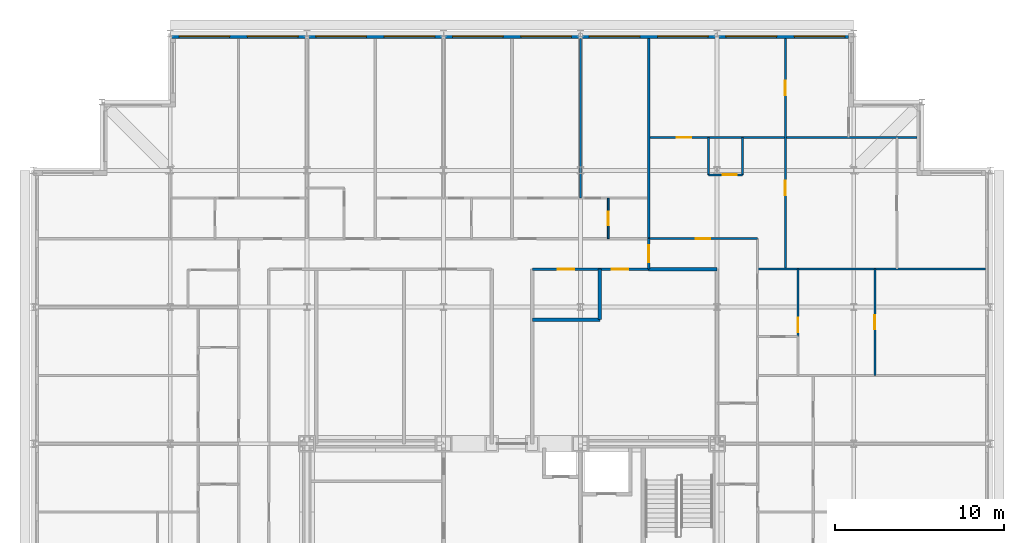
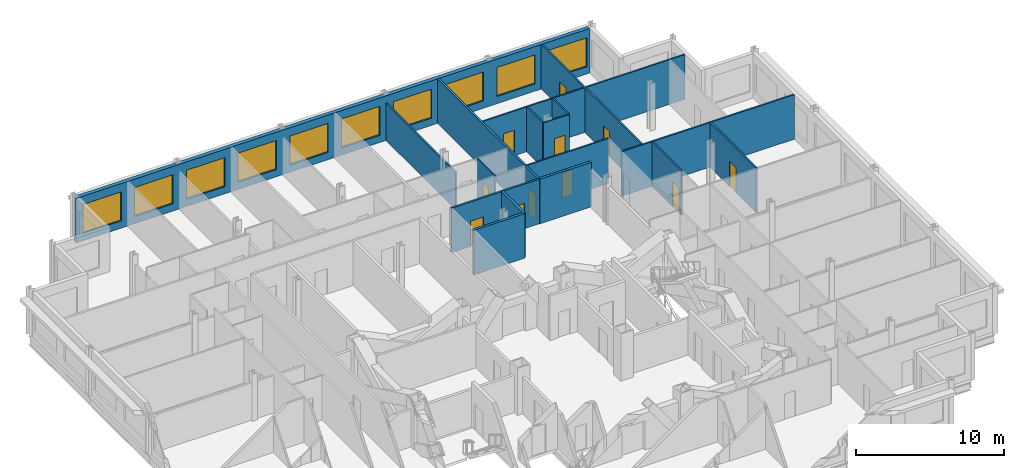
# One storey, part 13 of 15: 18 walls, 11 doors, 10 windows, 21 openings.
"""IFC4 building model written with IfcOpenShell, lengths in metres."""

from ifc_helpers import new_model, si_unit, direction, frame, frame_2d, origin, place, context, subcontext, project, spatial, rectangle, extrude, material, layer, layer_set, type_object, element, fill, save


model = new_model("IFC4")

# Units and contexts
model_context = context("Model", 3, precision=1e-05, world=origin(), true_north=direction((0.0, 1.0)))
body_context = subcontext(model_context, "Body", "Model", "MODEL_VIEW")
ifc_project = project(units=[si_unit("LENGTHUNIT", "METRE"), si_unit("AREAUNIT", "SQUARE_METRE"), si_unit("VOLUMEUNIT", "CUBIC_METRE"), si_unit("PLANEANGLEUNIT", "RADIAN"), si_unit("MASSUNIT", "GRAM", prefix="KILO")], contexts=[model_context])

# Site, building, storey
site_placement = place(None, origin())
site = spatial("IfcSite", under=ifc_project, at=site_placement, CompositionType="ELEMENT")
building_placement = place(site_placement, origin())
building = spatial("IfcBuilding", under=site, at=building_placement, Name="Kopane Lantern Tower", CompositionType="ELEMENT")
storey_placement = place(building_placement, frame((0.0, 0.0, 273.60009765625)))
storey = spatial("IfcBuildingStorey", under=building, at=storey_placement, Name="L70", CompositionType="ELEMENT", Elevation=273.60009765625)

# Wall
ifc_material_1 = material(Name="Gypsum board on steel studs", Category="steel")
ifc_layer_1 = layer(ifc_material_1, 0.1201171875)
ifc_layer_set_1 = layer_set([ifc_layer_1], Name="APARTMENT INTERNAL WALL 120")
wall_type_1 = type_object("IfcWallType", Name="APARTMENT INTERNAL WALL 120", PredefinedType="PARTITIONING", material=ifc_layer_set_1)
wall_1_placement = place(storey_placement, frame((32.39990234375, 55.050048828125, 0.0), z_axis=(0.0, 0.0, 1.0), x_axis=(0.0, 1.0, 0.0)))
element("IfcWall", 1, at=wall_1_placement, inside=storey, type_object=wall_type_1, Name="Apartment Internal Wall 120 L70", PredefinedType="PARTITIONING", context=body_context, shape_type="SweptSolid", body=[
    extrude(rectangle(XDim=9.449951171875, YDim=0.1201171875, at=frame_2d((4.72509765625, 0.0))), origin(), (0.0, 0.0, 1.0), 3.07763671875),
])

# Wall, opening, door
wall_2_placement = place(storey_placement, frame((36.449951171875, 52.64990234375, 0.0), z_axis=(0.0, 0.0, 1.0), x_axis=(1.0, 0.0, 0.0)))
wall_2 = element("IfcWall", 2, at=wall_2_placement, inside=storey, type_object=wall_type_1, Name="Apartment Internal Wall 120 L70", PredefinedType="PARTITIONING", context=body_context, shape_type="SweptSolid", body=[
    extrude(rectangle(XDim=6.449951171875, YDim=0.1201171875, at=frame_2d((3.22509765625, 0.0))), origin(), (0.0, 0.0, 1.0), 3.68994140625),
])
opening_1_placement = place(wall_2_placement, frame((2.800048828125, 0.0, 0.0)))
opening_1 = element("IfcOpeningElement", 3, at=opening_1_placement, cuts=wall_2, Name="Opening L70-056", PredefinedType="OPENING", context=body_context, shape_type="SweptSolid", body=[
    extrude(rectangle(XDim=0.85009765625, YDim=2.10009765625, at=frame_2d((0.425048828125, 1.050048828125))), frame((0.0, 0.070068359375, 0.0), z_axis=(0.0, -1.0, 0.0), x_axis=(1.0, 0.0, 0.0)), (0.0, 0.0, 1.0), 0.14013671875),
])
ifc_material_2 = material(Name="Timber door set", Category="wood")
door_type_1 = type_object("IfcDoorType", Name="DOOR D4 850x2100", OperationType="SINGLE_SWING_LEFT", PredefinedType="DOOR", material=ifc_material_2)
door_1_placement = place(opening_1_placement, origin())
door_1 = element("IfcDoor", 4, at=door_1_placement, inside=storey, type_object=door_type_1, Name="Door L70-056", OperationType="SINGLE_SWING_LEFT", OverallHeight=2.10009765625, OverallWidth=0.85009765625, PredefinedType="DOOR", context=body_context, shape_type="SweptSolid", body=[
    extrude(rectangle(XDim=0.85009765625, YDim=2.10009765625, at=frame_2d((0.425048828125, 1.050048828125))), frame((0.0, 0.02490234375, 0.0), z_axis=(0.0, -1.0, 0.0), x_axis=(1.0, 0.0, 0.0)), (0.0, 0.0, 1.0), 0.050048828125),
])
fill(opening_1, door_1)

# Wall
wall_3_placement = place(storey_placement, frame((42.89990234375, 50.85009765625, 0.0), z_axis=(0.0, 0.0, 1.0), x_axis=(1.0, 0.0, 0.0)))
element("IfcWall", 5, at=wall_3_placement, inside=storey, type_object=wall_type_1, Name="Apartment Internal Wall 120 L70", PredefinedType="PARTITIONING", context=body_context, shape_type="SweptSolid", body=[
    extrude(rectangle(XDim=13.5, YDim=0.1201171875, at=frame_2d((6.75, 0.0))), origin(), (0.0, 0.0, 1.0), 3.68994140625),
])

# Wall, opening, door
wall_4_placement = place(storey_placement, frame((36.449951171875, 58.64990234375, 0.0), z_axis=(0.0, 0.0, 1.0), x_axis=(1.0, 0.0, 0.0)))
wall_4 = element("IfcWall", 6, at=wall_4_placement, inside=storey, type_object=wall_type_1, Name="Apartment Internal Wall 120 L70", PredefinedType="PARTITIONING", context=body_context, shape_type="SweptSolid", body=[
    extrude(rectangle(XDim=15.900146484375, YDim=0.1201171875, at=frame_2d((7.9501953125, 0.0))), origin(), (0.0, 0.0, 1.0), 3.68994140625),
])
opening_2_placement = place(wall_4_placement, frame((1.675048828125, 0.0, 0.0)))
opening_2 = element("IfcOpeningElement", 7, at=opening_2_placement, cuts=wall_4, Name="Opening L70-057", PredefinedType="OPENING", context=body_context, shape_type="SweptSolid", body=[
    extrude(rectangle(XDim=0.85009765625, YDim=2.10009765625, at=frame_2d((0.425048828125, 1.050048828125))), frame((0.0, 0.070068359375, 0.0), z_axis=(0.0, -1.0, 0.0), x_axis=(1.0, 0.0, 0.0)), (0.0, 0.0, 1.0), 0.14013671875),
])
door_2_placement = place(opening_2_placement, origin())
door_2 = element("IfcDoor", 8, at=door_2_placement, inside=storey, type_object=door_type_1, Name="Door L70-057", OperationType="SINGLE_SWING_LEFT", OverallHeight=2.10009765625, OverallWidth=0.85009765625, PredefinedType="DOOR", context=body_context, shape_type="SweptSolid", body=[
    extrude(rectangle(XDim=0.85009765625, YDim=2.10009765625, at=frame_2d((0.425048828125, 1.050048828125))), frame((0.0, 0.02490234375, 0.0), z_axis=(0.0, -1.0, 0.0), x_axis=(1.0, 0.0, 0.0)), (0.0, 0.0, 1.0), 0.050048828125),
])
fill(opening_2, door_2)

# Wall, openings, doors
wall_5_placement = place(storey_placement, frame((44.550048828125, 64.5, 0.0), z_axis=(0.0, 0.0, 1.0), x_axis=(0.0, -1.0, 0.0)))
wall_5 = element("IfcWall", 9, at=wall_5_placement, inside=storey, type_object=wall_type_1, Name="Apartment Internal Wall 120 L70", PredefinedType="PARTITIONING", context=body_context, shape_type="SweptSolid", body=[
    extrude(rectangle(XDim=13.64990234375, YDim=0.1201171875, at=frame_2d((6.824951171875, 0.0))), origin(), (0.0, 0.0, 1.0), 3.68994140625),
])
opening_3_placement = place(wall_5_placement, frame((8.425048828125, 0.0, 0.0)))
opening_3 = element("IfcOpeningElement", 10, at=opening_3_placement, cuts=wall_5, Name="Opening L70-058", PredefinedType="OPENING", context=body_context, shape_type="SweptSolid", body=[
    extrude(rectangle(XDim=0.85009765625, YDim=2.10009765625, at=frame_2d((0.425048828125, 1.050048828125))), frame((0.0, 0.070068359375, 0.0), z_axis=(0.0, -1.0, 0.0), x_axis=(1.0, 0.0, 0.0)), (0.0, 0.0, 1.0), 0.14013671875),
])
opening_4_placement = place(wall_5_placement, frame((2.5, 0.0, 0.0)))
opening_4 = element("IfcOpeningElement", 11, at=opening_4_placement, cuts=wall_5, Name="Opening L70-059", PredefinedType="OPENING", context=body_context, shape_type="SweptSolid", body=[
    extrude(rectangle(XDim=0.85009765625, YDim=2.10009765625, at=frame_2d((0.425048828125, 1.050048828125))), frame((0.0, 0.070068359375, 0.0), z_axis=(0.0, -1.0, 0.0), x_axis=(1.0, 0.0, 0.0)), (0.0, 0.0, 1.0), 0.14013671875),
])
door_3_placement = place(opening_3_placement, origin())
door_3 = element("IfcDoor", 12, at=door_3_placement, inside=storey, type_object=door_type_1, Name="Door L70-058", OperationType="SINGLE_SWING_LEFT", OverallHeight=2.10009765625, OverallWidth=0.85009765625, PredefinedType="DOOR", context=body_context, shape_type="SweptSolid", body=[
    extrude(rectangle(XDim=0.85009765625, YDim=2.10009765625, at=frame_2d((0.425048828125, 1.050048828125))), frame((0.0, 0.02490234375, 0.0), z_axis=(0.0, -1.0, 0.0), x_axis=(1.0, 0.0, 0.0)), (0.0, 0.0, 1.0), 0.050048828125),
])
fill(opening_3, door_3)
door_4_placement = place(opening_4_placement, origin())
door_4 = element("IfcDoor", 13, at=door_4_placement, inside=storey, type_object=door_type_1, Name="Door L70-059", OperationType="SINGLE_SWING_RIGHT", OverallHeight=2.10009765625, OverallWidth=0.85009765625, PredefinedType="DOOR", context=body_context, shape_type="SweptSolid", body=[
    extrude(rectangle(XDim=0.85009765625, YDim=2.10009765625, at=frame_2d((0.425048828125, 1.050048828125))), frame((0.0, 0.02490234375, 0.0), z_axis=(0.0, -1.0, 0.0), x_axis=(1.0, 0.0, 0.0)), (0.0, 0.0, 1.0), 0.050048828125),
])
fill(opening_4, door_4)

# Wall, opening, door
wall_6_placement = place(storey_placement, frame((45.300048828125, 50.85009765625, 0.0), z_axis=(0.0, 0.0, 1.0), x_axis=(0.0, -1.0, 0.0)))
wall_6 = element("IfcWall", 14, at=wall_6_placement, inside=storey, type_object=wall_type_1, Name="Apartment Internal Wall 120 L70", PredefinedType="PARTITIONING", context=body_context, shape_type="SweptSolid", body=[
    extrude(rectangle(XDim=4.010009765625, YDim=0.1201171875, at=frame_2d((2.0048828125, 0.0))), origin(), (0.0, 0.0, 1.0), 3.68994140625),
])
opening_5_placement = place(wall_6_placement, frame((2.885009765625, 0.0, 0.0)))
opening_5 = element("IfcOpeningElement", 15, at=opening_5_placement, cuts=wall_6, Name="Opening L70-066", PredefinedType="OPENING", context=body_context, shape_type="SweptSolid", body=[
    extrude(rectangle(XDim=0.85009765625, YDim=2.10009765625, at=frame_2d((0.425048828125, 1.050048828125))), frame((0.0, 0.070068359375, 0.0), z_axis=(0.0, -1.0, 0.0), x_axis=(1.0, 0.0, 0.0)), (0.0, 0.0, 1.0), 0.14013671875),
])
door_5_placement = place(opening_5_placement, origin())
door_5 = element("IfcDoor", 16, at=door_5_placement, inside=storey, type_object=door_type_1, Name="Door L70-066", OperationType="SINGLE_SWING_LEFT", OverallHeight=2.10009765625, OverallWidth=0.85009765625, PredefinedType="DOOR", context=body_context, shape_type="SweptSolid", body=[
    extrude(rectangle(XDim=0.85009765625, YDim=2.10009765625, at=frame_2d((0.425048828125, 1.050048828125))), frame((0.0, 0.02490234375, 0.0), z_axis=(0.0, -1.0, 0.0), x_axis=(1.0, 0.0, 0.0)), (0.0, 0.0, 1.0), 0.050048828125),
])
fill(opening_5, door_5)

wall_7_placement = place(storey_placement, frame((49.85009765625, 44.550048828125, 0.0), z_axis=(0.0, 0.0, 1.0), x_axis=(0.0, 1.0, 0.0)))
wall_7 = element("IfcWall", 17, at=wall_7_placement, inside=storey, type_object=wall_type_1, Name="Apartment Internal Wall 120 L70", PredefinedType="PARTITIONING", context=body_context, shape_type="SweptSolid", body=[
    extrude(rectangle(XDim=6.300048828125, YDim=0.1201171875, at=frame_2d((3.14990234375, 0.0))), origin(), (0.0, 0.0, 1.0), 3.68994140625),
])
opening_6_placement = place(wall_7_placement, frame((2.72509765625, 0.0, 0.0)))
opening_6 = element("IfcOpeningElement", 18, at=opening_6_placement, cuts=wall_7, Name="Opening L70-073", PredefinedType="OPENING", context=body_context, shape_type="SweptSolid", body=[
    extrude(rectangle(XDim=0.85009765625, YDim=2.10009765625, at=frame_2d((0.425048828125, 1.050048828125))), frame((0.0, 0.070068359375, 0.0), z_axis=(0.0, -1.0, 0.0), x_axis=(1.0, 0.0, 0.0)), (0.0, 0.0, 1.0), 0.14013671875),
])
door_6_placement = place(opening_6_placement, origin())
door_6 = element("IfcDoor", 19, at=door_6_placement, inside=storey, type_object=door_type_1, Name="Door L70-073", OperationType="SINGLE_SWING_LEFT", OverallHeight=2.10009765625, OverallWidth=0.85009765625, PredefinedType="DOOR", context=body_context, shape_type="SweptSolid", body=[
    extrude(rectangle(XDim=0.85009765625, YDim=2.10009765625, at=frame_2d((0.425048828125, 1.050048828125))), frame((0.0, 0.02490234375, 0.0), z_axis=(0.0, -1.0, 0.0), x_axis=(1.0, 0.0, 0.0)), (0.0, 0.0, 1.0), 0.050048828125),
])
fill(opening_6, door_6)

# Walls
for number, where, z_axis, x_axis, name in (
    (20, (39.9970703125, 58.64990234375, 0.0), (0.0, 0.0, 1.0), (0.0, -1.0, 0.0), "Apartment Internal Wall 120 L70"),
    (21, (42.0029296875, 58.64990234375, 0.0), (0.0, 0.0, 1.0), (0.0, -1.0, 0.0), "Apartment Internal Wall 120 L70"),
):
    element("IfcWall", number, at=place(storey_placement, frame(where, z_axis=z_axis, x_axis=x_axis)), inside=storey, type_object=wall_type_1, Name=name, PredefinedType="PARTITIONING", context=body_context, shape_type="SweptSolid", body=[
        extrude(rectangle(XDim=2.212890625, YDim=0.1201171875, at=frame_2d((1.1064453125, 0.0))), origin(), (0.0, 0.0, 1.0), 3.68994140625),
    ])

# Wall, opening, door
wall_8_placement = place(storey_placement, frame((39.9970703125, 56.43701171875, 0.0), z_axis=(0.0, 0.0, 1.0), x_axis=(1.0, 0.0, 0.0)))
wall_8 = element("IfcWall", 22, at=wall_8_placement, inside=storey, type_object=wall_type_1, Name="Apartment Internal Wall 120 L70", PredefinedType="PARTITIONING", context=body_context, shape_type="SweptSolid", body=[
    extrude(rectangle(XDim=2.005859375, YDim=0.1201171875, at=frame_2d((1.0029296875, 0.0))), origin(), (0.0, 0.0, 1.0), 3.68994140625),
])
opening_7_placement = place(wall_8_placement, frame((0.8310546875, 0.0, 0.0)))
opening_7 = element("IfcOpeningElement", 23, at=opening_7_placement, cuts=wall_8, Name="Opening L70-075", PredefinedType="OPENING", context=body_context, shape_type="SweptSolid", body=[
    extrude(rectangle(XDim=0.85009765625, YDim=2.10009765625, at=frame_2d((0.425048828125, 1.050048828125))), frame((0.0, 0.070068359375, 0.0), z_axis=(0.0, -1.0, 0.0), x_axis=(1.0, 0.0, 0.0)), (0.0, 0.0, 1.0), 0.14013671875),
])
door_7_placement = place(opening_7_placement, origin())
door_7 = element("IfcDoor", 24, at=door_7_placement, inside=storey, type_object=door_type_1, Name="Door L70-075", OperationType="SINGLE_SWING_RIGHT", OverallHeight=2.10009765625, OverallWidth=0.85009765625, PredefinedType="DOOR", context=body_context, shape_type="SweptSolid", body=[
    extrude(rectangle(XDim=0.85009765625, YDim=2.10009765625, at=frame_2d((0.425048828125, 1.050048828125))), frame((0.0, 0.02490234375, 0.0), z_axis=(0.0, -1.0, 0.0), x_axis=(1.0, 0.0, 0.0)), (0.0, 0.0, 1.0), 0.050048828125),
])
fill(opening_7, door_7)

ifc_material_3 = material(Name="Moisture-resistant board on steel studs", Category="steel")
ifc_layer_2 = layer(ifc_material_3, 0.10009765625)
ifc_layer_set_2 = layer_set([ifc_layer_2], Name="BATHROOM WALL 100")
wall_type_2 = type_object("IfcWallType", Name="BATHROOM WALL 100", PredefinedType="PARTITIONING", material=ifc_layer_set_2)
wall_9_placement = place(storey_placement, frame((34.050048828125, 52.64990234375, 0.0), z_axis=(0.0, 0.0, 1.0), x_axis=(0.0, 1.0, 0.0)))
wall_9 = element("IfcWall", 25, at=wall_9_placement, inside=storey, type_object=wall_type_2, Name="Bathroom Wall 100 L70", PredefinedType="PARTITIONING", context=body_context, shape_type="SweptSolid", body=[
    extrude(rectangle(XDim=2.400146484375, YDim=0.10009765625, at=frame_2d((1.2001953125, 0.0))), origin(), (0.0, 0.0, 1.0), 3.68994140625),
])
opening_8_placement = place(wall_9_placement, frame((0.800048828125, 0.0, 0.0)))
opening_8 = element("IfcOpeningElement", 26, at=opening_8_placement, cuts=wall_9, Name="Opening L70-022", PredefinedType="OPENING", context=body_context, shape_type="SweptSolid", body=[
    extrude(rectangle(XDim=0.800048828125, YDim=2.10009765625, at=frame_2d((0.39990234375, 1.050048828125))), frame((0.0, 0.06005859375, 0.0), z_axis=(0.0, -1.0, 0.0), x_axis=(1.0, 0.0, 0.0)), (0.0, 0.0, 1.0), 0.1201171875),
])
ifc_material_4 = material(Name="Timber door set", Category="wood")
door_type_2 = type_object("IfcDoorType", Name="DOOR D2 800x2100", OperationType="SINGLE_SWING_LEFT", PredefinedType="DOOR", material=ifc_material_4)
door_8_placement = place(opening_8_placement, origin())
door_8 = element("IfcDoor", 27, at=door_8_placement, inside=storey, type_object=door_type_2, Name="Door L70-022", OperationType="SINGLE_SWING_RIGHT", OverallHeight=2.10009765625, OverallWidth=0.800048828125, PredefinedType="DOOR", context=body_context, shape_type="SweptSolid", body=[
    extrude(rectangle(XDim=0.800048828125, YDim=2.10009765625, at=frame_2d((0.39990234375, 1.050048828125))), frame((0.0, 0.02490234375, 0.0), z_axis=(0.0, -1.0, 0.0), x_axis=(1.0, 0.0, 0.0)), (0.0, 0.0, 1.0), 0.050048828125),
])
fill(opening_8, door_8)

# Wall, openings, doors
ifc_material_5 = material(Name="Gypsum board on steel studs", Category="steel")
ifc_layer_3 = layer(ifc_material_5, 0.14990234375)
ifc_layer_set_3 = layer_set([ifc_layer_3], Name="CORRIDOR WALL 150 EI 60")
wall_type_3 = type_object("IfcWallType", Name="CORRIDOR WALL 150 EI 60", PredefinedType="PARTITIONING", material=ifc_layer_set_3)
wall_10_placement = place(storey_placement, frame((29.56005859375, 50.85009765625, 0.0), z_axis=(0.0, 0.0, 1.0), x_axis=(1.0, 0.0, 0.0)))
wall_10 = element("IfcWall", 28, at=wall_10_placement, inside=storey, type_object=wall_type_3, Name="Corridor Wall 150 Ei 60 L70", PredefinedType="PARTITIONING", context=body_context, shape_type="SweptSolid", body=[
    extrude(rectangle(XDim=6.889892578125, YDim=0.14990234375, at=frame_2d((3.44482421875, 0.0))), origin(), (0.0, 0.0, 1.0), 3.68994140625),
])
opening_9_placement = place(wall_10_placement, frame((1.489990234375, 0.0, 0.0)))
opening_9 = element("IfcOpeningElement", 29, at=opening_9_placement, cuts=wall_10, Name="Opening L70-006", PredefinedType="OPENING", context=body_context, shape_type="SweptSolid", body=[
    extrude(rectangle(XDim=1.0, YDim=2.10009765625, at=frame_2d((0.5, 1.050048828125))), frame((0.0, 0.0849609375, 0.0), z_axis=(0.0, -1.0, 0.0), x_axis=(1.0, 0.0, 0.0)), (0.0, 0.0, 1.0), 0.169921875),
])
opening_10_placement = place(wall_10_placement, frame((4.68994140625, 0.0, 0.0)))
opening_10 = element("IfcOpeningElement", 30, at=opening_10_placement, cuts=wall_10, Name="Opening L70-007", PredefinedType="OPENING", context=body_context, shape_type="SweptSolid", body=[
    extrude(rectangle(XDim=1.0, YDim=2.10009765625, at=frame_2d((0.5, 1.050048828125))), frame((0.0, 0.0849609375, 0.0), z_axis=(0.0, -1.0, 0.0), x_axis=(1.0, 0.0, 0.0)), (0.0, 0.0, 1.0), 0.169921875),
])
ifc_material_6 = material(Name="Steel door set", Category="steel")
door_type_3 = type_object("IfcDoorType", Name="DOOR D5 1000x2100 FD60", OperationType="SINGLE_SWING_LEFT", PredefinedType="DOOR", material=ifc_material_6)
door_9_placement = place(opening_9_placement, origin())
door_9 = element("IfcDoor", 31, at=door_9_placement, inside=storey, type_object=door_type_3, Name="Door L70-006", OperationType="SINGLE_SWING_RIGHT", OverallHeight=2.10009765625, OverallWidth=1.0, PredefinedType="DOOR", context=body_context, shape_type="SweptSolid", body=[
    extrude(rectangle(XDim=1.0, YDim=2.10009765625, at=frame_2d((0.5, 1.050048828125))), frame((0.0, 0.02490234375, 0.0), z_axis=(0.0, -1.0, 0.0), x_axis=(1.0, 0.0, 0.0)), (0.0, 0.0, 1.0), 0.050048828125),
])
fill(opening_9, door_9)
door_10_placement = place(opening_10_placement, origin())
door_10 = element("IfcDoor", 32, at=door_10_placement, inside=storey, type_object=door_type_3, Name="Door L70-007", OperationType="SINGLE_SWING_RIGHT", OverallHeight=2.10009765625, OverallWidth=1.0, PredefinedType="DOOR", context=body_context, shape_type="SweptSolid", body=[
    extrude(rectangle(XDim=1.0, YDim=2.10009765625, at=frame_2d((0.5, 1.050048828125))), frame((0.0, 0.02490234375, 0.0), z_axis=(0.0, -1.0, 0.0), x_axis=(1.0, 0.0, 0.0)), (0.0, 0.0, 1.0), 0.050048828125),
])
fill(opening_10, door_10)

# Wall, opening, door
wall_11_placement = place(storey_placement, frame((36.449951171875, 50.85009765625, 0.0), z_axis=(0.0, 0.0, 1.0), x_axis=(0.0, 1.0, 0.0)))
wall_11 = element("IfcWall", 33, at=wall_11_placement, inside=storey, type_object=wall_type_3, Name="Corridor Wall 150 Ei 60 L70", PredefinedType="PARTITIONING", context=body_context, shape_type="SweptSolid", body=[
    extrude(rectangle(XDim=1.7998046875, YDim=0.14990234375, at=frame_2d((0.89990234375, 0.0))), origin(), (0.0, 0.0, 1.0), 3.68994140625),
])
opening_11_placement = place(wall_11_placement, frame((0.39990234375, 0.0, 0.0)))
opening_11 = element("IfcOpeningElement", 34, at=opening_11_placement, cuts=wall_11, Name="Opening L70-054", PredefinedType="OPENING", context=body_context, shape_type="SweptSolid", body=[
    extrude(rectangle(XDim=1.0, YDim=2.10009765625, at=frame_2d((0.5, 1.050048828125))), frame((0.0, 0.0849609375, 0.0), z_axis=(0.0, -1.0, 0.0), x_axis=(1.0, 0.0, 0.0)), (0.0, 0.0, 1.0), 0.169921875),
])
ifc_material_7 = material(Name="Steel door set", Category="steel")
door_type_4 = type_object("IfcDoorType", Name="DOOR D3 1000x2100 FD30S", OperationType="SINGLE_SWING_LEFT", PredefinedType="DOOR", material=ifc_material_7)
door_11_placement = place(opening_11_placement, origin())
door_11 = element("IfcDoor", 35, at=door_11_placement, inside=storey, type_object=door_type_4, Name="Door L70-054", OperationType="SINGLE_SWING_RIGHT", OverallHeight=2.10009765625, OverallWidth=1.0, PredefinedType="DOOR", context=body_context, shape_type="SweptSolid", body=[
    extrude(rectangle(XDim=1.0, YDim=2.10009765625, at=frame_2d((0.5, 1.050048828125))), frame((0.0, 0.02490234375, 0.0), z_axis=(0.0, -1.0, 0.0), x_axis=(1.0, 0.0, 0.0)), (0.0, 0.0, 1.0), 0.050048828125),
])
fill(opening_11, door_11)

# Wall
ifc_material_8 = material(Name="Gypsum board on steel studs", Category="steel")
ifc_layer_4 = layer(ifc_material_8, 0.14990234375)
ifc_layer_set_4 = layer_set([ifc_layer_4], Name="DEMISING WALL 150 EI 60")
wall_type_4 = type_object("IfcWallType", Name="DEMISING WALL 150 EI 60", PredefinedType="PARTITIONING", material=ifc_layer_set_4)
wall_12_placement = place(storey_placement, frame((36.449951171875, 64.5, 0.0), z_axis=(0.0, 0.0, 1.0), x_axis=(0.0, -1.0, 0.0)))
element("IfcWall", 36, at=wall_12_placement, inside=storey, type_object=wall_type_4, Name="Demising Wall 150 Ei 60 L70", PredefinedType="PARTITIONING", context=body_context, shape_type="SweptSolid", body=[
    extrude(rectangle(XDim=11.85009765625, YDim=0.14990234375, at=frame_2d((5.925048828125, 0.0))), origin(), (0.0, 0.0, 1.0), 3.68994140625),
])

# Wall, openings, windows
ifc_material_9 = material(Name="Terracotta rainscreen on light steel framing", Category="masonry")
ifc_layer_5 = layer(ifc_material_9, 0.300048828125)
ifc_layer_set_5 = layer_set([ifc_layer_5], Name="EXTERNAL WALL EW1 300 TERRACOTTA")
wall_type_5 = type_object("IfcWallType", Name="EXTERNAL WALL EW1 300 TERRACOTTA", PredefinedType="SOLIDWALL", material=ifc_layer_set_5)
wall_13_placement = place(storey_placement, frame((48.300048828125, 64.64990234375, 0.0), z_axis=(0.0, 0.0, 1.0), x_axis=(-1.0, 0.0, 0.0)))
wall_13 = element("IfcWall", 37, at=wall_13_placement, inside=storey, type_object=wall_type_5, Name="External wall N L70", PredefinedType="SOLIDWALL", context=body_context, shape_type="SweptSolid", body=[
    extrude(rectangle(XDim=40.199951171875, YDim=0.300048828125, at=frame_2d((20.10009765625, 0.0))), origin(), (0.0, 0.0, 1.0), 3.68994140625),
])
opening_12_placement = place(wall_13_placement, frame((0.22509765625, 0.0, 0.60009765625)))
opening_12 = element("IfcOpeningElement", 38, at=opening_12_placement, cuts=wall_13, Name="Opening WR300240", PredefinedType="OPENING", context=body_context, shape_type="SweptSolid", body=[
    extrude(rectangle(XDim=3.0, YDim=2.39990234375, at=frame_2d((1.5, 1.199951171875))), frame((0.0, 0.159912109375, 0.0), z_axis=(0.0, -1.0, 0.0), x_axis=(1.0, 0.0, 0.0)), (0.0, 0.0, 1.0), 0.320068359375),
])
opening_13_placement = place(wall_13_placement, frame((4.27490234375, 0.0, 0.60009765625)))
opening_13 = element("IfcOpeningElement", 39, at=opening_13_placement, cuts=wall_13, Name="Opening WR300240", PredefinedType="OPENING", context=body_context, shape_type="SweptSolid", body=[
    extrude(rectangle(XDim=3.0, YDim=2.39990234375, at=frame_2d((1.5, 1.199951171875))), frame((0.0, 0.159912109375, 0.0), z_axis=(0.0, -1.0, 0.0), x_axis=(1.0, 0.0, 0.0)), (0.0, 0.0, 1.0), 0.320068359375),
])
opening_14_placement = place(wall_13_placement, frame((8.324951171875, 0.0, 0.60009765625)))
opening_14 = element("IfcOpeningElement", 40, at=opening_14_placement, cuts=wall_13, Name="Opening WR300240", PredefinedType="OPENING", context=body_context, shape_type="SweptSolid", body=[
    extrude(rectangle(XDim=3.0, YDim=2.39990234375, at=frame_2d((1.5, 1.199951171875))), frame((0.0, 0.159912109375, 0.0), z_axis=(0.0, -1.0, 0.0), x_axis=(1.0, 0.0, 0.0)), (0.0, 0.0, 1.0), 0.320068359375),
])
opening_15_placement = place(wall_13_placement, frame((12.375, 0.0, 0.60009765625)))
opening_15 = element("IfcOpeningElement", 41, at=opening_15_placement, cuts=wall_13, Name="Opening WR300240", PredefinedType="OPENING", context=body_context, shape_type="SweptSolid", body=[
    extrude(rectangle(XDim=3.0, YDim=2.39990234375, at=frame_2d((1.5, 1.199951171875))), frame((0.0, 0.159912109375, 0.0), z_axis=(0.0, -1.0, 0.0), x_axis=(1.0, 0.0, 0.0)), (0.0, 0.0, 1.0), 0.320068359375),
])
opening_16_placement = place(wall_13_placement, frame((16.425048828125, 0.0, 0.60009765625)))
opening_16 = element("IfcOpeningElement", 42, at=opening_16_placement, cuts=wall_13, Name="Opening WR300240", PredefinedType="OPENING", context=body_context, shape_type="SweptSolid", body=[
    extrude(rectangle(XDim=3.0, YDim=2.39990234375, at=frame_2d((1.5, 1.199951171875))), frame((0.0, 0.159912109375, 0.0), z_axis=(0.0, -1.0, 0.0), x_axis=(1.0, 0.0, 0.0)), (0.0, 0.0, 1.0), 0.320068359375),
])
opening_17_placement = place(wall_13_placement, frame((20.47509765625, 0.0, 0.60009765625)))
opening_17 = element("IfcOpeningElement", 43, at=opening_17_placement, cuts=wall_13, Name="Opening WR300240", PredefinedType="OPENING", context=body_context, shape_type="SweptSolid", body=[
    extrude(rectangle(XDim=3.0, YDim=2.39990234375, at=frame_2d((1.5, 1.199951171875))), frame((0.0, 0.159912109375, 0.0), z_axis=(0.0, -1.0, 0.0), x_axis=(1.0, 0.0, 0.0)), (0.0, 0.0, 1.0), 0.320068359375),
])
opening_18_placement = place(wall_13_placement, frame((24.52490234375, 0.0, 0.60009765625)))
opening_18 = element("IfcOpeningElement", 44, at=opening_18_placement, cuts=wall_13, Name="Opening WR300240", PredefinedType="OPENING", context=body_context, shape_type="SweptSolid", body=[
    extrude(rectangle(XDim=3.0, YDim=2.39990234375, at=frame_2d((1.5, 1.199951171875))), frame((0.0, 0.159912109375, 0.0), z_axis=(0.0, -1.0, 0.0), x_axis=(1.0, 0.0, 0.0)), (0.0, 0.0, 1.0), 0.320068359375),
])
opening_19_placement = place(wall_13_placement, frame((28.574951171875, 0.0, 0.60009765625)))
opening_19 = element("IfcOpeningElement", 45, at=opening_19_placement, cuts=wall_13, Name="Opening WR300240", PredefinedType="OPENING", context=body_context, shape_type="SweptSolid", body=[
    extrude(rectangle(XDim=3.0, YDim=2.39990234375, at=frame_2d((1.5, 1.199951171875))), frame((0.0, 0.159912109375, 0.0), z_axis=(0.0, -1.0, 0.0), x_axis=(1.0, 0.0, 0.0)), (0.0, 0.0, 1.0), 0.320068359375),
])
opening_20_placement = place(wall_13_placement, frame((32.625, 0.0, 0.60009765625)))
opening_20 = element("IfcOpeningElement", 46, at=opening_20_placement, cuts=wall_13, Name="Opening WR300240", PredefinedType="OPENING", context=body_context, shape_type="SweptSolid", body=[
    extrude(rectangle(XDim=3.0, YDim=2.39990234375, at=frame_2d((1.5, 1.199951171875))), frame((0.0, 0.159912109375, 0.0), z_axis=(0.0, -1.0, 0.0), x_axis=(1.0, 0.0, 0.0)), (0.0, 0.0, 1.0), 0.320068359375),
])
opening_21_placement = place(wall_13_placement, frame((36.675048828125, 0.0, 0.60009765625)))
opening_21 = element("IfcOpeningElement", 47, at=opening_21_placement, cuts=wall_13, Name="Opening WR300240", PredefinedType="OPENING", context=body_context, shape_type="SweptSolid", body=[
    extrude(rectangle(XDim=3.0, YDim=2.39990234375, at=frame_2d((1.5, 1.199951171875))), frame((0.0, 0.159912109375, 0.0), z_axis=(0.0, -1.0, 0.0), x_axis=(1.0, 0.0, 0.0)), (0.0, 0.0, 1.0), 0.320068359375),
])
ifc_material_10 = material(Name="Aluminium and clear glass", Category="aluminium")
window_type = type_object("IfcWindowType", Name="RIBBON WINDOW WR300240 3000x2400", PartitioningType="SINGLE_PANEL", PredefinedType="WINDOW", material=ifc_material_10)
window_1_placement = place(opening_12_placement, origin())
window_1 = element("IfcWindow", 48, at=window_1_placement, inside=storey, type_object=window_type, Name="Window N L70", OverallHeight=2.39990234375, OverallWidth=3.0, PartitioningType="SINGLE_PANEL", PredefinedType="WINDOW", context=body_context, shape_type="SweptSolid", body=[
    extrude(rectangle(XDim=3.0, YDim=2.39990234375, at=frame_2d((1.5, 1.199951171875))), frame((0.0, 0.030029296875, 0.0), z_axis=(0.0, -1.0, 0.0), x_axis=(1.0, 0.0, 0.0)), (0.0, 0.0, 1.0), 0.06005859375),
])
fill(opening_12, window_1)
window_2_placement = place(opening_13_placement, origin())
window_2 = element("IfcWindow", 49, at=window_2_placement, inside=storey, type_object=window_type, Name="Window N L70", OverallHeight=2.39990234375, OverallWidth=3.0, PartitioningType="SINGLE_PANEL", PredefinedType="WINDOW", context=body_context, shape_type="SweptSolid", body=[
    extrude(rectangle(XDim=3.0, YDim=2.39990234375, at=frame_2d((1.5, 1.199951171875))), frame((0.0, 0.030029296875, 0.0), z_axis=(0.0, -1.0, 0.0), x_axis=(1.0, 0.0, 0.0)), (0.0, 0.0, 1.0), 0.06005859375),
])
fill(opening_13, window_2)
window_3_placement = place(opening_14_placement, origin())
window_3 = element("IfcWindow", 50, at=window_3_placement, inside=storey, type_object=window_type, Name="Window N L70", OverallHeight=2.39990234375, OverallWidth=3.0, PartitioningType="SINGLE_PANEL", PredefinedType="WINDOW", context=body_context, shape_type="SweptSolid", body=[
    extrude(rectangle(XDim=3.0, YDim=2.39990234375, at=frame_2d((1.5, 1.199951171875))), frame((0.0, 0.030029296875, 0.0), z_axis=(0.0, -1.0, 0.0), x_axis=(1.0, 0.0, 0.0)), (0.0, 0.0, 1.0), 0.06005859375),
])
fill(opening_14, window_3)
window_4_placement = place(opening_15_placement, origin())
window_4 = element("IfcWindow", 51, at=window_4_placement, inside=storey, type_object=window_type, Name="Window N L70", OverallHeight=2.39990234375, OverallWidth=3.0, PartitioningType="SINGLE_PANEL", PredefinedType="WINDOW", context=body_context, shape_type="SweptSolid", body=[
    extrude(rectangle(XDim=3.0, YDim=2.39990234375, at=frame_2d((1.5, 1.199951171875))), frame((0.0, 0.030029296875, 0.0), z_axis=(0.0, -1.0, 0.0), x_axis=(1.0, 0.0, 0.0)), (0.0, 0.0, 1.0), 0.06005859375),
])
fill(opening_15, window_4)
window_5_placement = place(opening_16_placement, origin())
window_5 = element("IfcWindow", 52, at=window_5_placement, inside=storey, type_object=window_type, Name="Window N L70", OverallHeight=2.39990234375, OverallWidth=3.0, PartitioningType="SINGLE_PANEL", PredefinedType="WINDOW", context=body_context, shape_type="SweptSolid", body=[
    extrude(rectangle(XDim=3.0, YDim=2.39990234375, at=frame_2d((1.5, 1.199951171875))), frame((0.0, 0.030029296875, 0.0), z_axis=(0.0, -1.0, 0.0), x_axis=(1.0, 0.0, 0.0)), (0.0, 0.0, 1.0), 0.06005859375),
])
fill(opening_16, window_5)
window_6_placement = place(opening_17_placement, origin())
window_6 = element("IfcWindow", 53, at=window_6_placement, inside=storey, type_object=window_type, Name="Window N L70", OverallHeight=2.39990234375, OverallWidth=3.0, PartitioningType="SINGLE_PANEL", PredefinedType="WINDOW", context=body_context, shape_type="SweptSolid", body=[
    extrude(rectangle(XDim=3.0, YDim=2.39990234375, at=frame_2d((1.5, 1.199951171875))), frame((0.0, 0.030029296875, 0.0), z_axis=(0.0, -1.0, 0.0), x_axis=(1.0, 0.0, 0.0)), (0.0, 0.0, 1.0), 0.06005859375),
])
fill(opening_17, window_6)
window_7_placement = place(opening_18_placement, origin())
window_7 = element("IfcWindow", 54, at=window_7_placement, inside=storey, type_object=window_type, Name="Window N L70", OverallHeight=2.39990234375, OverallWidth=3.0, PartitioningType="SINGLE_PANEL", PredefinedType="WINDOW", context=body_context, shape_type="SweptSolid", body=[
    extrude(rectangle(XDim=3.0, YDim=2.39990234375, at=frame_2d((1.5, 1.199951171875))), frame((0.0, 0.030029296875, 0.0), z_axis=(0.0, -1.0, 0.0), x_axis=(1.0, 0.0, 0.0)), (0.0, 0.0, 1.0), 0.06005859375),
])
fill(opening_18, window_7)
window_8_placement = place(opening_19_placement, origin())
window_8 = element("IfcWindow", 55, at=window_8_placement, inside=storey, type_object=window_type, Name="Window N L70", OverallHeight=2.39990234375, OverallWidth=3.0, PartitioningType="SINGLE_PANEL", PredefinedType="WINDOW", context=body_context, shape_type="SweptSolid", body=[
    extrude(rectangle(XDim=3.0, YDim=2.39990234375, at=frame_2d((1.5, 1.199951171875))), frame((0.0, 0.030029296875, 0.0), z_axis=(0.0, -1.0, 0.0), x_axis=(1.0, 0.0, 0.0)), (0.0, 0.0, 1.0), 0.06005859375),
])
fill(opening_19, window_8)
window_9_placement = place(opening_20_placement, origin())
window_9 = element("IfcWindow", 56, at=window_9_placement, inside=storey, type_object=window_type, Name="Window N L70", OverallHeight=2.39990234375, OverallWidth=3.0, PartitioningType="SINGLE_PANEL", PredefinedType="WINDOW", context=body_context, shape_type="SweptSolid", body=[
    extrude(rectangle(XDim=3.0, YDim=2.39990234375, at=frame_2d((1.5, 1.199951171875))), frame((0.0, 0.030029296875, 0.0), z_axis=(0.0, -1.0, 0.0), x_axis=(1.0, 0.0, 0.0)), (0.0, 0.0, 1.0), 0.06005859375),
])
fill(opening_20, window_9)
window_10_placement = place(opening_21_placement, origin())
window_10 = element("IfcWindow", 57, at=window_10_placement, inside=storey, type_object=window_type, Name="Window N L70", OverallHeight=2.39990234375, OverallWidth=3.0, PartitioningType="SINGLE_PANEL", PredefinedType="WINDOW", context=body_context, shape_type="SweptSolid", body=[
    extrude(rectangle(XDim=3.0, YDim=2.39990234375, at=frame_2d((1.5, 1.199951171875))), frame((0.0, 0.030029296875, 0.0), z_axis=(0.0, -1.0, 0.0), x_axis=(1.0, 0.0, 0.0)), (0.0, 0.0, 1.0), 0.06005859375),
])
fill(opening_21, window_10)

# Walls
ifc_material_11 = material(Name="Concrete masonry", Category="masonry")
ifc_layer_6 = layer(ifc_material_11, 0.199951171875)
ifc_layer_set_6 = layer_set([ifc_layer_6], Name="PLANT ROOM WALL 200 EI 120")
wall_type_6 = type_object("IfcWallType", Name="PLANT ROOM WALL 200 EI 120", PredefinedType="SOLIDWALL", material=ifc_layer_set_6)
wall_14_placement = place(storey_placement, frame((33.550048828125, 50.85009765625, 0.0), z_axis=(0.0, 0.0, 1.0), x_axis=(0.0, -1.0, 0.0)))
element("IfcWall", 58, at=wall_14_placement, inside=storey, type_object=wall_type_6, Name="Plant Room Wall 200 Ei 120 L70", PredefinedType="SOLIDWALL", context=body_context, shape_type="SweptSolid", body=[
    extrude(rectangle(XDim=3.0, YDim=0.199951171875, at=frame_2d((1.5, 0.0))), origin(), (0.0, 0.0, 1.0), 3.68994140625),
])
wall_15_placement = place(storey_placement, frame((29.550048828125, 47.85009765625, 0.0), z_axis=(0.0, 0.0, 1.0), x_axis=(1.0, 0.0, 0.0)))
element("IfcWall", 59, at=wall_15_placement, inside=storey, type_object=wall_type_6, Name="Plant Room Wall 200 Ei 120 L70", PredefinedType="SOLIDWALL", context=body_context, shape_type="SweptSolid", body=[
    extrude(rectangle(XDim=4.0, YDim=0.199951171875, at=frame_2d((2.0, 0.0))), origin(), (0.0, 0.0, 1.0), 3.68994140625),
])
wall_16_placement = place(storey_placement, frame((36.449951171875, 50.85009765625, 0.0), z_axis=(0.0, 0.0, 1.0), x_axis=(1.0, 0.0, 0.0)))
element("IfcWall", 60, at=wall_16_placement, inside=storey, type_object=wall_type_6, Name="Plant Room Wall 200 Ei 120 L70", PredefinedType="SOLIDWALL", context=body_context, shape_type="SweptSolid", body=[
    extrude(rectangle(XDim=4.050048828125, YDim=0.199951171875, at=frame_2d((2.02490234375, 0.0))), origin(), (0.0, 0.0, 1.0), 3.68994140625),
])

save(model, "model.ifc")
